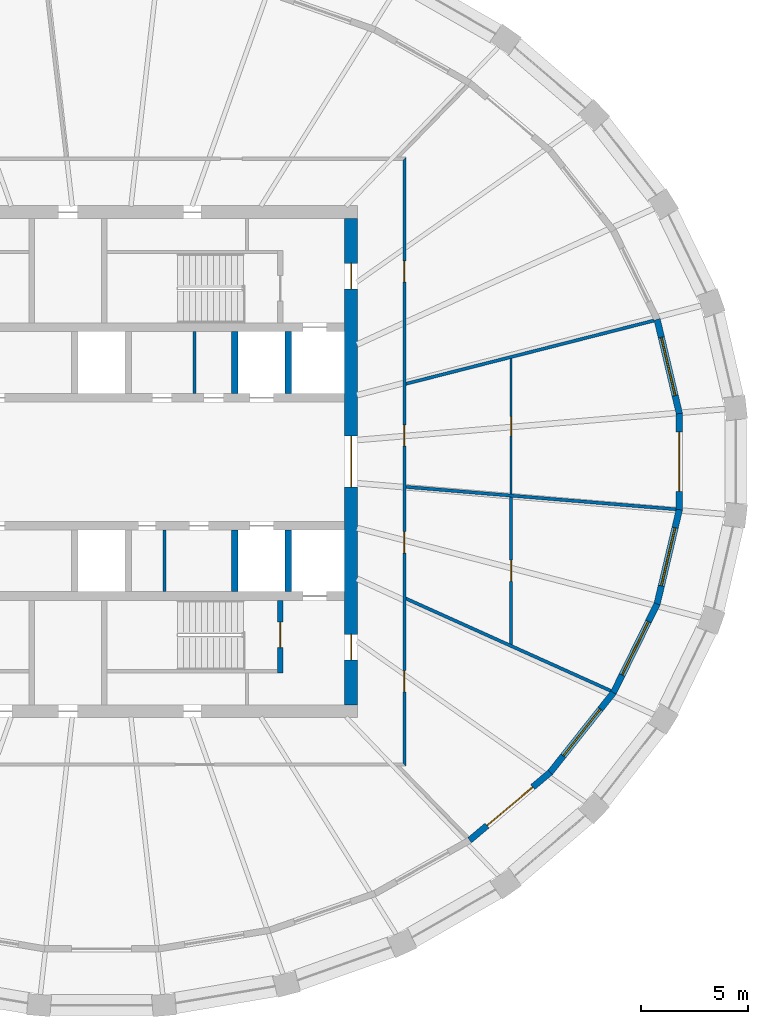
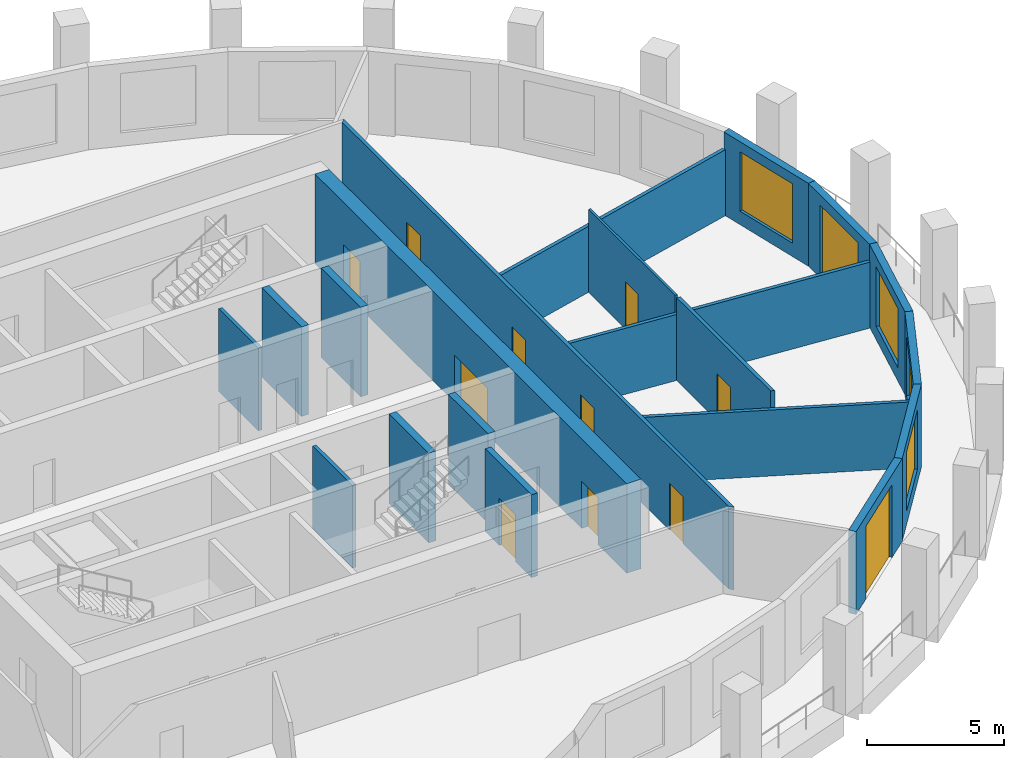
# One storey, part 5 of 10: 20 walls, 12 doors, 4 windows, 16 openings.
"""IFC4 building model written with IfcOpenShell, lengths in metres."""

import ifcopenshell
import ifcopenshell.guid

model = None  # the IFC model being written
_history = None  # IfcOwnerHistory: only IFC2X3 demands one
_inside = {}  # id of a spatial element -> (the spatial element, [elements in it])
_under = {}  # id of a project, library or spatial element -> (it, [spatial elements below it])
_declared = {}  # id of a project -> (the project, [libraries it declares])
_typed = {}  # id of a type object -> (the type object, [elements of that type])
_made_of = {}  # id of a material, layer set ... -> (it, [elements and type objects made of it])


def new_model(schema):
    """Start an empty IFC model of exactly this schema.

    Asked for "IFC4X3", IfcOpenShell would pick the latest addendum, in which some entities
    have other attributes; the version numbers below select the first issue.
    IFC2X3 requires an IfcOwnerHistory on every rooted entity: one is made here for all.
    """
    global model, _history
    if schema == "IFC4X3":
        model = ifcopenshell.file(schema_version=(4, 3, 0, 0))
    else:
        model = ifcopenshell.file(schema=schema)
    _inside.clear()
    _under.clear()
    _declared.clear()
    _typed.clear()
    _made_of.clear()
    _history = None
    if model.schema == "IFC2X3":
        org = make("IfcOrganization", Name="unknown")
        user = make(
            "IfcPersonAndOrganization",
            ThePerson=make("IfcPerson", FamilyName="unknown"),
            TheOrganization=org,
        )
        app = make(
            "IfcApplication",
            ApplicationDeveloper=org,
            Version="unknown",
            ApplicationFullName="unknown",
            ApplicationIdentifier="unknown",
        )
        _history = make(
            "IfcOwnerHistory",
            OwningUser=user,
            OwningApplication=app,
            ChangeAction="ADDED",
            CreationDate=0,
        )
    return model


def make(cls, **values):
    """One entity of the class cls with the attributes given. An attribute that is None is left unset."""
    return model.create_entity(
        cls, **{name: value for name, value in values.items() if value is not None}
    )


def rooted(cls, **values):
    """An entity with a GlobalId (a new one), such as an element, a storey or a relation."""
    return make(cls, GlobalId=ifcopenshell.guid.new(), OwnerHistory=_history, **values)


def si_unit(unit_type, name, prefix=None):
    """IfcSIUnit, for example si_unit("LENGTHUNIT", "METRE", prefix="MILLI")."""
    return make("IfcSIUnit", UnitType=unit_type, Prefix=prefix, Name=name)


def assignment(units):
    """IfcUnitAssignment: the units of a project."""
    return None if units is None else make("IfcUnitAssignment", Units=units)


def point(xyz):
    """IfcCartesianPoint."""
    return None if xyz is None else make("IfcCartesianPoint", Coordinates=xyz)


def direction(xyz):
    """IfcDirection."""
    return None if xyz is None else make("IfcDirection", DirectionRatios=xyz)


def frame(location, z_axis=None, x_axis=None):
    """IfcAxis2Placement3D, a coordinate frame: its origin and axes. An axis left out is left unset."""
    return make(
        "IfcAxis2Placement3D",
        Location=point(location),
        Axis=direction(z_axis),
        RefDirection=direction(x_axis),
    )


def frame_2d(location, x_axis=None):
    """IfcAxis2Placement2D, a coordinate frame in the plane: its origin and x axis."""
    return make(
        "IfcAxis2Placement2D", Location=point(location), RefDirection=direction(x_axis)
    )


def origin():
    """The frame at (0, 0, 0) with its axes left unset."""
    return frame((0.0, 0.0, 0.0))


def place(relative_to, where):
    """IfcLocalPlacement: puts the frame where relative to a parent placement (None: the world)."""
    return make(
        "IfcLocalPlacement", PlacementRelTo=relative_to, RelativePlacement=where
    )


def context(
    kind, dimensions, precision=None, world=None, true_north=None, identifier=None
):
    """IfcGeometricRepresentationContext, for example the 3D "Model" context."""
    return make(
        "IfcGeometricRepresentationContext",
        ContextIdentifier=identifier,
        ContextType=kind,
        CoordinateSpaceDimension=dimensions,
        Precision=precision,
        WorldCoordinateSystem=world,
        TrueNorth=true_north,
    )


def subcontext(parent, identifier, kind, view, scale=None):
    """IfcGeometricRepresentationSubContext, for example "Body" below "Model"."""
    return make(
        "IfcGeometricRepresentationSubContext",
        ContextIdentifier=identifier,
        ContextType=kind,
        ParentContext=parent,
        TargetScale=scale,
        TargetView=view,
    )


def project(units=None, contexts=None):
    """IfcProject with its units and contexts."""
    return rooted(
        "IfcProject",
        Name="project",
        RepresentationContexts=contexts,
        UnitsInContext=assignment(units),
    )


def spatial(cls, under=None, at=None, **own):
    """A site, building, storey or space (cls), placed at a placement, below another one or the project."""
    s = rooted(cls, ObjectPlacement=at, **own)
    if under is not None:
        _under.setdefault(under.id(), (under, []))[1].append(s)
    return s


def polyline(points):
    """IfcPolyline through the points."""
    return make("IfcPolyline", Points=[point(p) for p in points])


def profile(cls, at=None, kind="AREA", **sizes):
    """A parametric profile (cls). Its sizes go by their IFC names, for example OverallWidth=200.0."""
    return make(cls, ProfileType=kind, Position=at, **sizes)


def rectangle(**sizes):
    """IfcRectangleProfileDef."""
    return profile("IfcRectangleProfileDef", **sizes)


def outline(outer, holes=None, kind="AREA"):
    """IfcArbitraryClosedProfileDef: a profile drawn as a closed curve; with holes, ...WithVoids."""
    if holes is None:
        return make("IfcArbitraryClosedProfileDef", ProfileType=kind, OuterCurve=outer)
    return make(
        "IfcArbitraryProfileDefWithVoids",
        ProfileType=kind,
        OuterCurve=outer,
        InnerCurves=holes,
    )


def extrude(swept, where, along, depth):
    """IfcExtrudedAreaSolid: the profile swept, set in the frame where, extruded along a direction by depth."""
    return make(
        "IfcExtrudedAreaSolid",
        SweptArea=swept,
        Position=where,
        ExtrudedDirection=direction(along),
        Depth=depth,
    )


def shape(context_of_items, identifier, shape_type, items):
    """IfcShapeRepresentation: the items that make up one representation, for example the "Body"."""
    return make(
        "IfcShapeRepresentation",
        ContextOfItems=context_of_items,
        RepresentationIdentifier=identifier,
        RepresentationType=shape_type,
        Items=items,
    )


def material(Name=None, Category=None):
    """IfcMaterial."""
    return make("IfcMaterial", Name=Name, Category=Category)


def layer(
    of_material, thickness, ventilated=None, Name=None, Category=None, Priority=None
):
    """IfcMaterialLayer: one layer of a wall or slab, of a material (None: an air gap)."""
    return make(
        "IfcMaterialLayer",
        Material=of_material,
        LayerThickness=thickness,
        IsVentilated=ventilated,
        Name=Name,
        Category=Category,
        Priority=Priority,
    )


def layer_set(layers, Name=None):
    """IfcMaterialLayerSet."""
    return make("IfcMaterialLayerSet", MaterialLayers=layers, LayerSetName=Name)


def made_of(thing, what):
    """Note that an element or type object is made of a material, layer set ...; save() writes the relation."""
    if what is not None:
        _made_of.setdefault(what.id(), (what, []))[1].append(thing)
    return thing


def type_object(cls, material=None, **own):
    """A type object (cls), such as IfcWallType, which elements share."""
    return made_of(rooted(cls, **own), material)


def element(
    cls,
    number,
    at=None,
    inside=None,
    cuts=None,
    type_object=None,
    material=None,
    context=None,
    identifier="Body",
    shape_type=None,
    held_by="IfcProductDefinitionShape",
    body=None,
    shapes=None,
    **own,
):
    """One element of the class cls, such as IfcWall. Its Tag is "e" and its number.

    at: its placement. inside: the storey or other place that contains it. cuts: it is an
    opening in that element (IfcRelVoidsElement). A single representation is given by context,
    identifier, shape_type and body (its items); several are given by shapes. held_by: the class
    of the entity that holds the representations. save() writes the other relations.
    """
    e = rooted(cls, Tag="e%d" % number, ObjectPlacement=at, **own)
    if body is not None:
        shapes = [shape(context, identifier, shape_type, body)]
    if shapes is not None:
        e.Representation = make(held_by, Representations=shapes)
    if inside is not None:
        _inside.setdefault(inside.id(), (inside, []))[1].append(e)
    if cuts is not None:
        rooted(
            "IfcRelVoidsElement", RelatingBuildingElement=cuts, RelatedOpeningElement=e
        )
    if type_object is not None:
        _typed.setdefault(type_object.id(), (type_object, []))[1].append(e)
    return made_of(e, material)


def fill(opening, filler):
    """IfcRelFillsElement: the door or window that sits in an opening."""
    return rooted(
        "IfcRelFillsElement",
        RelatingOpeningElement=opening,
        RelatedBuildingElement=filler,
    )


def aggregate(whole, parts):
    """IfcRelAggregates: a whole, such as a stair, and the parts it consists of."""
    return rooted("IfcRelAggregates", RelatingObject=whole, RelatedObjects=parts)


def save(model, path):
    """Write the relations noted so far, then the file.

    IfcRelAggregates (storeys below a building ...), IfcRelContainedInSpatialStructure (elements
    in a storey), IfcRelDefinesByType, IfcRelAssociatesMaterial and IfcRelDeclares: one each for
    every whole, place, type object, material and project.
    """
    for whole, parts in _under.values():
        aggregate(whole, parts)
    for where, things in _inside.values():
        rooted(
            "IfcRelContainedInSpatialStructure",
            RelatedElements=things,
            RelatingStructure=where,
        )
    for kind, things in _typed.values():
        rooted("IfcRelDefinesByType", RelatedObjects=things, RelatingType=kind)
    for what, things in _made_of.values():
        rooted("IfcRelAssociatesMaterial", RelatedObjects=things, RelatingMaterial=what)
    for by, libraries in _declared.values():
        rooted("IfcRelDeclares", RelatingContext=by, RelatedDefinitions=libraries)
    model.write(path)


model = new_model("IFC4")

# Units and contexts
model_context = context("Model", 3, precision=1e-05, world=origin(), true_north=direction((0.0, 1.0)))
body_context = subcontext(model_context, "Body", "Model", "MODEL_VIEW")
ifc_project = project(units=[si_unit("LENGTHUNIT", "METRE"), si_unit("AREAUNIT", "SQUARE_METRE"), si_unit("VOLUMEUNIT", "CUBIC_METRE"), si_unit("PLANEANGLEUNIT", "RADIAN"), si_unit("MASSUNIT", "GRAM", prefix="KILO")], contexts=[model_context])

# Site, building, storey
site_placement = place(None, origin())
site = spatial("IfcSite", under=ifc_project, at=site_placement, CompositionType="ELEMENT")
building_placement = place(site_placement, origin())
building = spatial("IfcBuilding", under=site, at=building_placement, Name="Halqa Exchange Tower", CompositionType="ELEMENT")
storey_placement = place(building_placement, frame((0.0, 0.0, 268.300048828125)))
storey = spatial("IfcBuildingStorey", under=building, at=storey_placement, Name="L62", CompositionType="ELEMENT", Elevation=268.300048828125)

# Wall, opening, door
ifc_material_1 = material(Name="Gypsum board")
ifc_layer_1 = layer(ifc_material_1, 0.14990234375)
ifc_layer_set_1 = layer_set([ifc_layer_1], Name="Gypsum board")
wall_type_1 = type_object("IfcWallType", Name="Acoustic partition 150", PredefinedType="PARTITIONING", material=ifc_layer_set_1)
wall_1_placement = place(storey_placement, frame((19.199951171875, -1.66357421875, 0.0), z_axis=(0.0, 0.0, 1.0), x_axis=(0.0, -1.0, 0.0)))
wall_1 = element("IfcWall", 1, at=wall_1_placement, inside=storey, type_object=wall_type_1, Name="L62-PWL-021", PredefinedType="PARTITIONING", context=body_context, shape_type="SweptSolid", body=[
    extrude(outline(polyline([(0.0, -0.074951171875), (1.71533203125, -0.074951171875), (3.430908203125, -0.074951171875), (5.146240234375, -0.074951171875), (6.861572265625, -0.074951171875), (6.928955078125, 0.074462890625), (6.928955078125, 0.074951171875), (5.19970703125, 0.074951171875), (3.470458984375, 0.074951171875), (1.7412109375, 0.074951171875), (0.011962890625, 0.074951171875), (0.0, -0.069580078125), (0.0, -0.074951171875)])), origin(), (0.0, 0.0, 1.0), 3.699951171875),
])
opening_1_placement = place(wall_1_placement, frame((2.951416015625, 0.0, 0.0)))
opening_1 = element("IfcOpeningElement", 2, at=opening_1_placement, cuts=wall_1, Name="Opening 19-15", PredefinedType="OPENING", context=body_context, shape_type="SweptSolid", body=[
    extrude(rectangle(XDim=1.0, YDim=2.10009765625, at=frame_2d((0.5, 1.050048828125))), frame((0.0, 0.0869140625, 0.0), z_axis=(0.0, -1.0, 0.0), x_axis=(1.0, 0.0, 0.0)), (0.0, 0.0, 1.0), 0.173828125),
])
ifc_material_2 = material(Name="Timber door leaf", Category="wood")
door_type_1 = type_object("IfcDoorType", Name="Acoustic door 1000 x 2100", OperationType="SINGLE_SWING_LEFT", PredefinedType="DOOR", material=ifc_material_2)
door_1_placement = place(opening_1_placement, frame((1.0, 0.0, 0.0), z_axis=(0.0, 0.0, 1.0), x_axis=(-1.0, 0.0, 0.0)))
door_1 = element("IfcDoor", 3, at=door_1_placement, inside=storey, type_object=door_type_1, Name="L62-IDR-015", OperationType="SINGLE_SWING_LEFT", OverallHeight=2.10009765625, OverallWidth=1.0, PredefinedType="DOOR", context=body_context, shape_type="SweptSolid", body=[
    extrude(rectangle(XDim=1.0, YDim=2.10009765625, at=frame_2d((0.5, 1.050048828125))), frame((0.0, 0.02490234375, 0.0), z_axis=(0.0, -1.0, 0.0), x_axis=(1.0, 0.0, 0.0)), (0.0, 0.0, 1.0), 0.050048828125),
])
fill(opening_1, door_1)

# Wall, openings, doors
ifc_material_3 = material(Name="Fire-rated gypsum board")
ifc_layer_2 = layer(ifc_material_3, 0.14990234375)
ifc_layer_set_2 = layer_set([ifc_layer_2], Name="Fire-rated gypsum board")
wall_type_2 = type_object("IfcWallType", Name="Fire partition EI 60 150", PredefinedType="PARTITIONING", material=ifc_layer_set_2)
wall_2_placement = place(storey_placement, frame((14.199951171875, -14.27490234375, 0.0), z_axis=(0.0, 0.0, 1.0), x_axis=(0.0, 1.0, 0.0)))
wall_2 = element("IfcWall", 4, at=wall_2_placement, inside=storey, type_object=wall_type_2, Name="L62-PWL-017", PredefinedType="PARTITIONING", context=body_context, shape_type="SweptSolid", body=[
    extrude(outline(polyline([(28.5498046875, -0.074951171875), (28.5498046875, -0.074951171875), (28.39990234375, 0.074951171875), (26.5166015625, 0.074951171875), (24.63330078125, 0.074951171875), (22.75, 0.074951171875), (20.866455078125, 0.074951171875), (18.983154296875, 0.074951171875), (17.099853515625, 0.074951171875), (15.216552734375, 0.074951171875), (13.333251953125, 0.074951171875), (11.449951171875, 0.074951171875), (9.566650390625, 0.074951171875), (7.683349609375, 0.074951171875), (5.7998046875, 0.074951171875), (3.91650390625, 0.074951171875), (2.033203125, 0.074951171875), (0.14990234375, 0.074951171875), (0.0, -0.074951171875), (1.9033203125, -0.074951171875), (3.806640625, -0.074951171875), (5.7099609375, -0.074951171875), (7.61328125, -0.074951171875), (9.5166015625, -0.074951171875), (11.419921875, -0.074951171875), (13.3232421875, -0.074951171875), (15.2265625, -0.074951171875), (17.1298828125, -0.074951171875), (19.033203125, -0.074951171875), (20.9365234375, -0.074951171875), (22.83984375, -0.074951171875), (24.7431640625, -0.074951171875), (26.646484375, -0.074951171875), (28.5498046875, -0.074951171875)])), origin(), (0.0, 0.0, 1.0), 3.699951171875),
])
opening_2_placement = place(wall_2_placement, frame((3.47998046875, 0.0, 0.0)))
opening_2 = element("IfcOpeningElement", 5, at=opening_2_placement, cuts=wall_2, Name="Opening 19-08", PredefinedType="OPENING", context=body_context, shape_type="SweptSolid", body=[
    extrude(rectangle(XDim=1.0, YDim=2.10009765625, at=frame_2d((0.5, 1.050048828125))), frame((0.0, 0.0869140625, 0.0), z_axis=(0.0, -1.0, 0.0), x_axis=(1.0, 0.0, 0.0)), (0.0, 0.0, 1.0), 0.173828125),
])
opening_3_placement = place(wall_2_placement, frame((9.989990234375, 0.0, 0.0)))
opening_3 = element("IfcOpeningElement", 6, at=opening_3_placement, cuts=wall_2, Name="Opening 19-09", PredefinedType="OPENING", context=body_context, shape_type="SweptSolid", body=[
    extrude(rectangle(XDim=1.0, YDim=2.10009765625, at=frame_2d((0.5, 1.050048828125))), frame((0.0, 0.0869140625, 0.0), z_axis=(0.0, -1.0, 0.0), x_axis=(1.0, 0.0, 0.0)), (0.0, 0.0, 1.0), 0.173828125),
])
opening_4_placement = place(wall_2_placement, frame((15.0, 0.0, 0.0)))
opening_4 = element("IfcOpeningElement", 7, at=opening_4_placement, cuts=wall_2, Name="Opening 19-10", PredefinedType="OPENING", context=body_context, shape_type="SweptSolid", body=[
    extrude(rectangle(XDim=1.0, YDim=2.10009765625, at=frame_2d((0.5, 1.050048828125))), frame((0.0, 0.0869140625, 0.0), z_axis=(0.0, -1.0, 0.0), x_axis=(1.0, 0.0, 0.0)), (0.0, 0.0, 1.0), 0.173828125),
])
opening_5_placement = place(wall_2_placement, frame((22.68994140625, 0.0, 0.0)))
opening_5 = element("IfcOpeningElement", 8, at=opening_5_placement, cuts=wall_2, Name="Opening 19-11", PredefinedType="OPENING", context=body_context, shape_type="SweptSolid", body=[
    extrude(rectangle(XDim=1.0, YDim=2.10009765625, at=frame_2d((0.5, 1.050048828125))), frame((0.0, 0.0869140625, 0.0), z_axis=(0.0, -1.0, 0.0), x_axis=(1.0, 0.0, 0.0)), (0.0, 0.0, 1.0), 0.173828125),
])
ifc_material_4 = material(Name="Steel fire door leaf", Category="steel")
door_type_2 = type_object("IfcDoorType", Name="Fire door FD30S 1000 x 2100", OperationType="SINGLE_SWING_LEFT", PredefinedType="DOOR", material=ifc_material_4)
door_2_placement = place(opening_2_placement, frame((1.0, 0.0, 0.0), z_axis=(0.0, 0.0, 1.0), x_axis=(-1.0, 0.0, 0.0)))
door_2 = element("IfcDoor", 9, at=door_2_placement, inside=storey, type_object=door_type_2, Name="L62-IDR-008", OperationType="SINGLE_SWING_RIGHT", OverallHeight=2.10009765625, OverallWidth=1.0, PredefinedType="DOOR", context=body_context, shape_type="SweptSolid", body=[
    extrude(rectangle(XDim=1.0, YDim=2.10009765625, at=frame_2d((0.5, 1.050048828125))), frame((0.0, 0.02490234375, 0.0), z_axis=(0.0, -1.0, 0.0), x_axis=(1.0, 0.0, 0.0)), (0.0, 0.0, 1.0), 0.050048828125),
])
fill(opening_2, door_2)
door_3_placement = place(opening_3_placement, frame((1.0, 0.0, 0.0), z_axis=(0.0, 0.0, 1.0), x_axis=(-1.0, 0.0, 0.0)))
door_3 = element("IfcDoor", 10, at=door_3_placement, inside=storey, type_object=door_type_2, Name="L62-IDR-009", OperationType="SINGLE_SWING_LEFT", OverallHeight=2.10009765625, OverallWidth=1.0, PredefinedType="DOOR", context=body_context, shape_type="SweptSolid", body=[
    extrude(rectangle(XDim=1.0, YDim=2.10009765625, at=frame_2d((0.5, 1.050048828125))), frame((0.0, 0.02490234375, 0.0), z_axis=(0.0, -1.0, 0.0), x_axis=(1.0, 0.0, 0.0)), (0.0, 0.0, 1.0), 0.050048828125),
])
fill(opening_3, door_3)
door_4_placement = place(opening_4_placement, frame((1.0, 0.0, 0.0), z_axis=(0.0, 0.0, 1.0), x_axis=(-1.0, 0.0, 0.0)))
door_4 = element("IfcDoor", 11, at=door_4_placement, inside=storey, type_object=door_type_2, Name="L62-IDR-010", OperationType="SINGLE_SWING_RIGHT", OverallHeight=2.10009765625, OverallWidth=1.0, PredefinedType="DOOR", context=body_context, shape_type="SweptSolid", body=[
    extrude(rectangle(XDim=1.0, YDim=2.10009765625, at=frame_2d((0.5, 1.050048828125))), frame((0.0, 0.02490234375, 0.0), z_axis=(0.0, -1.0, 0.0), x_axis=(1.0, 0.0, 0.0)), (0.0, 0.0, 1.0), 0.050048828125),
])
fill(opening_4, door_4)
door_5_placement = place(opening_5_placement, frame((1.0, 0.0, 0.0), z_axis=(0.0, 0.0, 1.0), x_axis=(-1.0, 0.0, 0.0)))
door_5 = element("IfcDoor", 12, at=door_5_placement, inside=storey, type_object=door_type_2, Name="L62-IDR-011", OperationType="SINGLE_SWING_RIGHT", OverallHeight=2.10009765625, OverallWidth=1.0, PredefinedType="DOOR", context=body_context, shape_type="SweptSolid", body=[
    extrude(rectangle(XDim=1.0, YDim=2.10009765625, at=frame_2d((0.5, 1.050048828125))), frame((0.0, 0.02490234375, 0.0), z_axis=(0.0, -1.0, 0.0), x_axis=(1.0, 0.0, 0.0)), (0.0, 0.0, 1.0), 0.050048828125),
])
fill(opening_5, door_5)

# Walls
wall_3_placement = place(storey_placement, frame((14.24462890625, -6.41015625, 0.0), z_axis=(0.0, 0.0, 1.0), x_axis=(0.91183931518, -0.410547272908, 0.0)))
element("IfcWall", 13, at=wall_3_placement, inside=storey, type_object=wall_type_2, Name="L62-PWL-018", PredefinedType="PARTITIONING", context=body_context, shape_type="SweptSolid", body=[
    extrude(outline(polyline([(0.067138671875, -0.074951171875), (1.812744140625, -0.074951171875), (3.55859375, -0.074951171875), (5.304443359375, -0.074951171875), (7.05029296875, -0.074951171875), (8.796142578125, -0.074951171875), (10.541748046875, -0.074951171875), (10.559814453125, -0.00341796875), (10.5625, 0.072998046875), (10.5625, 0.074951171875), (8.816162109375, 0.074951171875), (7.070068359375, 0.074951171875), (5.32373046875, 0.074951171875), (5.3193359375, 0.072998046875), (5.318359375, 0.074951171875), (3.545654296875, 0.074951171875), (1.772705078125, 0.074951171875), (0.0, 0.074951171875), (0.0, 0.073974609375), (0.067138671875, -0.074951171875)])), origin(), (0.0, 0.0, 1.0), 2.947021484375),
])
wall_4_placement = place(storey_placement, frame((14.269287109375, -1.185791015625, 0.0), z_axis=(0.0, 0.0, 1.0), x_axis=(0.996588692452, -0.082528650035, 0.0)))
element("IfcWall", 14, at=wall_4_placement, inside=storey, type_object=wall_type_2, Name="L62-PWL-019", PredefinedType="PARTITIONING", context=body_context, shape_type="SweptSolid", body=[
    extrude(outline(polyline([(0.011962890625, -0.074951171875), (1.68212890625, -0.074951171875), (3.3525390625, -0.074951171875), (5.022705078125, -0.074951171875), (5.029052734375, -0.074462890625), (5.029052734375, -0.074951171875), (6.947021484375, -0.074951171875), (8.864990234375, -0.074951171875), (10.782958984375, -0.074951171875), (12.700927734375, -0.074951171875), (12.705810546875, -0.04248046875), (12.705810546875, 0.074951171875), (10.7529296875, 0.074951171875), (8.800048828125, 0.074951171875), (6.846923828125, 0.074951171875), (4.89404296875, 0.074951171875), (4.89111328125, 0.07470703125), (4.89111328125, 0.074951171875), (3.2607421875, 0.074951171875), (1.63037109375, 0.074951171875), (0.0, 0.074951171875), (0.0, 0.0693359375), (0.011962890625, -0.074951171875)])), origin(), (0.0, 0.0, 1.0), 2.947021484375),
])
wall_5_placement = place(storey_placement, frame((14.256591796875, 3.64453125, 0.0), z_axis=(0.0, 0.0, 1.0), x_axis=(0.968990601513, 0.247097580277, 0.0)))
element("IfcWall", 15, at=wall_5_placement, inside=storey, type_object=wall_type_2, Name="L62-PWL-020", PredefinedType="PARTITIONING", context=body_context, shape_type="SweptSolid", body=[
    extrude(outline(polyline([(12.0185546875, -0.074951171875), (12.0185546875, 0.011474609375), (12.005126953125, 0.074951171875), (10.0107421875, 0.074951171875), (8.01611328125, 0.074951171875), (6.021728515625, 0.074951171875), (4.027099609375, 0.074951171875), (2.03271484375, 0.074951171875), (0.0380859375, 0.074951171875), (0.0, -0.074462890625), (0.0, -0.074951171875), (1.717041015625, -0.074951171875), (3.433837890625, -0.074951171875), (5.15087890625, -0.074951171875), (6.86767578125, -0.074951171875), (8.584716796875, -0.074951171875), (10.301513671875, -0.074951171875), (12.0185546875, -0.074951171875)])), origin(), (0.0, 0.0, 1.0), 2.947021484375),
])

# Wall, opening, door
ifc_layer_3 = layer(ifc_material_1, 0.10009765625)
ifc_layer_set_3 = layer_set([ifc_layer_3], Name="Gypsum board")
wall_type_3 = type_object("IfcWallType", Name="Partition 100 gypsum", PredefinedType="PARTITIONING", material=ifc_layer_set_3)
wall_6_placement = place(storey_placement, frame((19.199951171875, 4.840087890625, 0.0), z_axis=(0.0, 0.0, 1.0), x_axis=(0.0, -1.0, 0.0)))
wall_6 = element("IfcWall", 16, at=wall_6_placement, inside=storey, type_object=wall_type_3, Name="L62-PWL-022", PredefinedType="PARTITIONING", context=body_context, shape_type="SweptSolid", body=[
    extrude(outline(polyline([(0.025146484375, -0.050048828125), (1.607421875, -0.050048828125), (3.18994140625, -0.050048828125), (4.772216796875, -0.050048828125), (6.354736328125, -0.050048828125), (6.362548828125, 0.044921875), (6.362548828125, 0.050048828125), (4.77197265625, 0.050048828125), (3.18115234375, 0.050048828125), (1.590576171875, 0.050048828125), (0.0, 0.050048828125), (0.0, 0.048583984375), (0.025146484375, -0.050048828125)])), origin(), (0.0, 0.0, 1.0), 3.699951171875),
])
opening_6_placement = place(wall_6_placement, frame((2.72998046875, 0.0, 0.0)))
opening_6 = element("IfcOpeningElement", 17, at=opening_6_placement, cuts=wall_6, Name="Opening 19-16", PredefinedType="OPENING", context=body_context, shape_type="SweptSolid", body=[
    extrude(rectangle(XDim=0.89990234375, YDim=2.10009765625, at=frame_2d((0.449951171875, 1.050048828125))), frame((0.0, 0.06201171875, 0.0), z_axis=(0.0, -1.0, 0.0), x_axis=(1.0, 0.0, 0.0)), (0.0, 0.0, 1.0), 0.1240234375),
])
door_type_3 = type_object("IfcDoorType", Name="Door 900 x 2100", OperationType="SINGLE_SWING_LEFT", PredefinedType="DOOR", material=ifc_material_2)
door_6_placement = place(opening_6_placement, frame((0.89990234375, 0.0, 0.0), z_axis=(0.0, 0.0, 1.0), x_axis=(-1.0, 0.0, 0.0)))
door_6 = element("IfcDoor", 18, at=door_6_placement, inside=storey, type_object=door_type_3, Name="L62-IDR-016", OperationType="SINGLE_SWING_LEFT", OverallHeight=2.10009765625, OverallWidth=0.89990234375, PredefinedType="DOOR", context=body_context, shape_type="SweptSolid", body=[
    extrude(rectangle(XDim=0.89990234375, YDim=2.10009765625, at=frame_2d((0.449951171875, 1.050048828125))), frame((0.0, 0.02490234375, 0.0), z_axis=(0.0, -1.0, 0.0), x_axis=(1.0, 0.0, 0.0)), (0.0, 0.0, 1.0), 0.050048828125),
])
fill(opening_6, door_6)

# Walls
ifc_layer_4 = layer(ifc_material_1, 0.14990234375)
ifc_layer_set_4 = layer_set([ifc_layer_4], Name="Gypsum board")
wall_type_4 = type_object("IfcWallType", Name="Penthouse riser wall 150 gypsum", PredefinedType="PARTITIONING", material=ifc_layer_set_4)
for number, where, z_axis, x_axis, name in (
    (19, (4.35009765625, 3.199951171875, 0.0), (0.0, 0.0, 1.0), (0.0, 1.0, 0.0), "Freed bay partition NE4.350"),
    (20, (2.949951171875, -6.10009765625, 0.0), (0.0, 0.0, 1.0), (0.0, 1.0, 0.0), "Freed bay partition SE2.950"),
):
    element("IfcWall", number, at=place(storey_placement, frame(where, z_axis=z_axis, x_axis=x_axis)), inside=storey, type_object=wall_type_4, Name=name, PredefinedType="PARTITIONING", context=body_context, shape_type="SweptSolid", body=[
        extrude(rectangle(XDim=2.900146484375, YDim=0.14990234375, at=frame_2d((1.4501953125, 0.0))), origin(), (0.0, 0.0, 1.0), 3.699951171875),
    ])
ifc_material_5 = material(Name="Concrete C60/75", Category="concrete")
ifc_layer_5 = layer(ifc_material_5, 0.300048828125)
ifc_layer_set_5 = layer_set([ifc_layer_5], Name="Concrete C60/75")
wall_type_5 = type_object("IfcWallType", Name="RC core wall 300", PredefinedType="SHEAR", material=ifc_layer_set_5)
for number, where, z_axis, x_axis, name in (
    (21, (6.25, 3.199951171875, 0.0), (0.0, 0.0, 1.0), (0.0, 1.0, 0.0), "Shaft divider N7"),
    (22, (8.75, 3.199951171875, 0.0), (0.0, 0.0, 1.0), (0.0, 1.0, 0.0), "Shaft divider N8"),
    (23, (6.25, -6.10009765625, 0.0), (0.0, 0.0, 1.0), (0.0, 1.0, 0.0), "Shaft divider S7"),
    (24, (8.75, -6.10009765625, 0.0), (0.0, 0.0, 1.0), (0.0, 1.0, 0.0), "Shaft divider S8"),
):
    element("IfcWall", number, at=place(storey_placement, frame(where, z_axis=z_axis, x_axis=x_axis)), inside=storey, type_object=wall_type_5, Name=name, PredefinedType="SHEAR", context=body_context, shape_type="SweptSolid", body=[
        extrude(rectangle(XDim=2.900146484375, YDim=0.300048828125, at=frame_2d((1.4501953125, 0.0))), origin(), (0.0, 0.0, 1.0), 4.0),
    ])

# Wall, openings, doors
ifc_layer_6 = layer(ifc_material_5, 0.60009765625)
ifc_layer_set_6 = layer_set([ifc_layer_6], Name="Concrete C60/75")
wall_type_6 = type_object("IfcWallType", Name="RC core wall 600 C60/75", PredefinedType="SHEAR", material=ifc_layer_set_6)
wall_7_placement = place(storey_placement, frame((11.699951171875, -11.39990234375, 0.0), z_axis=(0.0, 0.0, 1.0), x_axis=(0.0, 1.0, 0.0)))
wall_7 = element("IfcWall", 25, at=wall_7_placement, inside=storey, type_object=wall_type_6, Name="Core wall east", PredefinedType="SHEAR", context=body_context, shape_type="SweptSolid", body=[
    extrude(rectangle(XDim=22.7998046875, YDim=0.60009765625, at=frame_2d((11.39990234375, 0.0))), origin(), (0.0, 0.0, 1.0), 4.0),
])
opening_7_placement = place(wall_7_placement, frame((10.199951171875, 0.0, 0.0)))
opening_7 = element("IfcOpeningElement", 26, at=opening_7_placement, cuts=wall_7, Name="Opening T19-C10", PredefinedType="OPENING", context=body_context, shape_type="SweptSolid", body=[
    extrude(rectangle(XDim=2.39990234375, YDim=2.10009765625, at=frame_2d((1.199951171875, 1.050048828125))), frame((0.0, 0.31201171875, 0.0), z_axis=(0.0, -1.0, 0.0), x_axis=(1.0, 0.0, 0.0)), (0.0, 0.0, 1.0), 0.6240234375),
])
opening_8_placement = place(wall_7_placement, frame((19.5, 0.0, 0.0)))
opening_8 = element("IfcOpeningElement", 27, at=opening_8_placement, cuts=wall_7, Name="Opening T19-C15", PredefinedType="OPENING", context=body_context, shape_type="SweptSolid", body=[
    extrude(rectangle(XDim=1.199951171875, YDim=2.10009765625, at=frame_2d((0.60009765625, 1.050048828125))), frame((0.0, 0.31201171875, 0.0), z_axis=(0.0, -1.0, 0.0), x_axis=(1.0, 0.0, 0.0)), (0.0, 0.0, 1.0), 0.6240234375),
])
opening_9_placement = place(wall_7_placement, frame((2.10009765625, 0.0, 0.0)))
opening_9 = element("IfcOpeningElement", 28, at=opening_9_placement, cuts=wall_7, Name="Opening T19-C16", PredefinedType="OPENING", context=body_context, shape_type="SweptSolid", body=[
    extrude(rectangle(XDim=1.199951171875, YDim=2.10009765625, at=frame_2d((0.60009765625, 1.050048828125))), frame((0.0, 0.31201171875, 0.0), z_axis=(0.0, -1.0, 0.0), x_axis=(1.0, 0.0, 0.0)), (0.0, 0.0, 1.0), 0.6240234375),
])
door_type_4 = type_object("IfcDoorType", Name="Firefighting lobby door FD90 1200 x 2100", OperationType="SINGLE_SWING_RIGHT", PredefinedType="DOOR", material=ifc_material_4)
door_7_placement = place(opening_8_placement, origin())
door_7 = element("IfcDoor", 29, at=door_7_placement, inside=storey, type_object=door_type_4, Name="Firefighting lobby door", OperationType="SINGLE_SWING_RIGHT", OverallHeight=2.10009765625, OverallWidth=1.199951171875, PredefinedType="DOOR", context=body_context, shape_type="SweptSolid", body=[
    extrude(rectangle(XDim=1.199951171875, YDim=2.10009765625, at=frame_2d((0.60009765625, 1.050048828125))), frame((0.0, 0.02490234375, 0.0), z_axis=(0.0, -1.0, 0.0), x_axis=(1.0, 0.0, 0.0)), (0.0, 0.0, 1.0), 0.050048828125),
])
fill(opening_8, door_7)
door_8_placement = place(opening_9_placement, origin())
door_8 = element("IfcDoor", 30, at=door_8_placement, inside=storey, type_object=door_type_4, Name="Firefighting lobby door", OperationType="SINGLE_SWING_LEFT", OverallHeight=2.10009765625, OverallWidth=1.199951171875, PredefinedType="DOOR", context=body_context, shape_type="SweptSolid", body=[
    extrude(rectangle(XDim=1.199951171875, YDim=2.10009765625, at=frame_2d((0.60009765625, 1.050048828125))), frame((0.0, 0.02490234375, 0.0), z_axis=(0.0, -1.0, 0.0), x_axis=(1.0, 0.0, 0.0)), (0.0, 0.0, 1.0), 0.050048828125),
])
fill(opening_9, door_8)
door_type_5 = type_object("IfcDoorType", Name="Lobby double door FD60 2400 x 2100", OperationType="DOUBLE_DOOR_SINGLE_SWING", PredefinedType="DOOR", material=ifc_material_4)
door_9_placement = place(opening_7_placement, origin())
door_9 = element("IfcDoor", 31, at=door_9_placement, inside=storey, type_object=door_type_5, Name="Lift lobby double door", OperationType="DOUBLE_DOOR_SINGLE_SWING", OverallHeight=2.10009765625, OverallWidth=2.39990234375, PredefinedType="DOOR", context=body_context, shape_type="SweptSolid", body=[
    extrude(rectangle(XDim=2.39990234375, YDim=2.10009765625, at=frame_2d((1.199951171875, 1.050048828125))), frame((0.0, 0.02490234375, 0.0), z_axis=(0.0, -1.0, 0.0), x_axis=(1.0, 0.0, 0.0)), (0.0, 0.0, 1.0), 0.050048828125),
])
fill(opening_7, door_9)

# Wall, opening, door
ifc_material_6 = material(Name="Concrete C30/37", Category="concrete")
ifc_layer_7 = layer(ifc_material_6, 0.25)
ifc_layer_set_7 = layer_set([ifc_layer_7], Name="Concrete C30/37")
wall_type_7 = type_object("IfcWallType", Name="RC stair wall 250 C30/37", PredefinedType="SHEAR", material=ifc_layer_set_7)
wall_8_placement = place(storey_placement, frame((8.375, -9.89990234375, 0.0), z_axis=(0.0, 0.0, 1.0), x_axis=(0.0, 1.0, 0.0)))
wall_8 = element("IfcWall", 32, at=wall_8_placement, inside=storey, type_object=wall_type_7, Name="Stair ST2 east wall S", PredefinedType="SHEAR", context=body_context, shape_type="SweptSolid", body=[
    extrude(rectangle(XDim=3.39990234375, YDim=0.25, at=frame_2d((1.699951171875, 0.0))), origin(), (0.0, 0.0, 1.0), 3.699951171875),
])
opening_10_placement = place(wall_8_placement, frame((1.175048828125, 0.0, 0.0)))
opening_10 = element("IfcOpeningElement", 33, at=opening_10_placement, cuts=wall_8, Name="Opening T19-C14", PredefinedType="OPENING", context=body_context, shape_type="SweptSolid", body=[
    extrude(rectangle(XDim=1.199951171875, YDim=2.10009765625, at=frame_2d((0.60009765625, 1.050048828125))), frame((0.0, 0.136962890625, 0.0), z_axis=(0.0, -1.0, 0.0), x_axis=(1.0, 0.0, 0.0)), (0.0, 0.0, 1.0), 0.27392578125),
])
door_type_6 = type_object("IfcDoorType", Name="Stair door FD90 1200 x 2100", OperationType="SINGLE_SWING_LEFT", PredefinedType="DOOR", material=ifc_material_4)
door_10_placement = place(opening_10_placement, origin())
door_10 = element("IfcDoor", 34, at=door_10_placement, inside=storey, type_object=door_type_6, Name="Stair door ST4", OperationType="SINGLE_SWING_RIGHT", OverallHeight=2.10009765625, OverallWidth=1.199951171875, PredefinedType="DOOR", context=body_context, shape_type="SweptSolid", body=[
    extrude(rectangle(XDim=1.199951171875, YDim=2.10009765625, at=frame_2d((0.60009765625, 1.050048828125))), frame((0.0, 0.02490234375, 0.0), z_axis=(0.0, -1.0, 0.0), x_axis=(1.0, 0.0, 0.0)), (0.0, 0.0, 1.0), 0.050048828125),
])
fill(opening_10, door_10)

# Wall, opening, window
ifc_material_7 = material(Name="Limestone cladding", Category="masonry")
ifc_layer_8 = layer(ifc_material_7, 0.0400390625)
ifc_material_8 = material(Name="Ventilated cavity")
ifc_layer_9 = layer(ifc_material_8, 0.030029296875, ventilated=True)
ifc_material_9 = material(Name="Mineral wool insulation")
ifc_layer_10 = layer(ifc_material_9, 0.10009765625)
ifc_layer_11 = layer(ifc_material_6, 0.10009765625)
ifc_material_10 = material(Name="Internal plaster")
ifc_layer_12 = layer(ifc_material_10, 0.030029296875)
ifc_layer_set_8 = layer_set([ifc_layer_8, ifc_layer_9, ifc_layer_10, ifc_layer_11, ifc_layer_12], Name="Stone-faced insulated wall 300")
wall_type_8 = type_object("IfcWallType", Name="Stone-faced insulated wall 300", PredefinedType="STANDARD", material=ifc_layer_set_8)
wall_9_placement = place(storey_placement, frame((27.088134765625, 2.25244140625, 0.0), z_axis=(0.0, 0.0, 1.0), x_axis=(-0.22983372436, 0.973229910734, 0.0)))
wall_9 = element("IfcWall", 35, at=wall_9_placement, inside=storey, type_object=wall_type_8, Name="Glass-line wall 1", PredefinedType="STANDARD", context=body_context, shape_type="SweptSolid", body=[
    extrude(outline(polyline([(-0.017578125, -0.14990234375), (4.555908203125, -0.14990234375), (4.522216796875, 0.14990234375), (0.017578125, 0.14990234375), (-0.017578125, -0.14990234375)])), origin(), (0.0, 0.0, 1.0), 3.699951171875),
])
opening_11_placement = place(wall_9_placement, frame((0.869384765625, 0.0, 0.60009765625)))
opening_11 = element("IfcOpeningElement", 36, at=opening_11_placement, cuts=wall_9, Name="Opening W-F4-01", PredefinedType="OPENING", context=body_context, shape_type="SweptSolid", body=[
    extrude(rectangle(XDim=2.800048828125, YDim=2.64990234375, at=frame_2d((1.39990234375, 1.324951171875))), frame((0.0, 0.162109375, 0.0), z_axis=(0.0, -1.0, 0.0), x_axis=(1.0, 0.0, 0.0)), (0.0, 0.0, 1.0), 0.323974609375),
])
ifc_material_11 = material(Name="Clear low-emissivity glass in aluminium frame", Category="aluminium")
window_type = type_object("IfcWindowType", Name="Fixed clear glazed window 2800 x 2650", PartitioningType="DOUBLE_PANEL_VERTICAL", PredefinedType="WINDOW", material=ifc_material_11)
window_1_placement = place(opening_11_placement, origin())
window_1 = element("IfcWindow", 37, at=window_1_placement, inside=storey, type_object=window_type, Name="Window 4", OverallHeight=2.64990234375, OverallWidth=2.800048828125, PartitioningType="DOUBLE_PANEL_VERTICAL", PredefinedType="WINDOW", context=body_context, shape_type="SweptSolid", body=[
    extrude(rectangle(XDim=2.800048828125, YDim=2.64990234375, at=frame_2d((1.39990234375, 1.324951171875))), frame((0.0, 0.030029296875, 0.0), z_axis=(0.0, -1.0, 0.0), x_axis=(1.0, 0.0, 0.0)), (0.0, 0.0, 1.0), 0.06005859375),
])
fill(opening_11, window_1)

# Wall, opening, door
wall_10_placement = place(storey_placement, frame((17.2578125, -17.74951171875, 0.0), z_axis=(0.0, 0.0, 1.0), x_axis=(0.764832940795, 0.644228664897, 0.0)))
wall_10 = element("IfcWall", 38, at=wall_10_placement, inside=storey, type_object=wall_type_8, Name="Glass-line wall 28", PredefinedType="STANDARD", context=body_context, shape_type="SweptSolid", body=[
    extrude(outline(polyline([(-0.01416015625, -0.14990234375), (4.950439453125, -0.14990234375), (4.920166015625, 0.14990234375), (0.01416015625, 0.14990234375), (-0.01416015625, -0.14990234375)])), origin(), (0.0, 0.0, 1.0), 3.699951171875),
])
opening_12_placement = place(wall_10_placement, frame((1.067626953125, 0.0, 0.0)))
opening_12 = element("IfcOpeningElement", 39, at=opening_12_placement, cuts=wall_10, Name="Opening LG-F4-07", PredefinedType="OPENING", context=body_context, shape_type="SweptSolid", body=[
    extrude(rectangle(XDim=2.800048828125, YDim=3.25, at=frame_2d((1.39990234375, 1.625))), frame((0.0, 0.162109375, 0.0), z_axis=(0.0, -1.0, 0.0), x_axis=(1.0, 0.0, 0.0)), (0.0, 0.0, 1.0), 0.323974609375),
])
door_type_7 = type_object("IfcDoorType", Name="Glazed sliding loggia door 2800 x 3250", OperationType="DOUBLE_DOOR_SLIDING", PredefinedType="DOOR", material=ifc_material_11)
door_11_placement = place(opening_12_placement, origin())
door_11 = element("IfcDoor", 40, at=door_11_placement, inside=storey, type_object=door_type_7, Name="Loggia door 7", OperationType="DOUBLE_DOOR_SLIDING", OverallHeight=3.25, OverallWidth=2.800048828125, PredefinedType="DOOR", context=body_context, shape_type="SweptSolid", body=[
    extrude(rectangle(XDim=2.800048828125, YDim=3.25, at=frame_2d((1.39990234375, 1.625))), frame((0.0, 0.02490234375, 0.0), z_axis=(0.0, -1.0, 0.0), x_axis=(1.0, 0.0, 0.0)), (0.0, 0.0, 1.0), 0.050048828125),
])
fill(opening_12, door_11)

# Wall, opening, window
wall_11_placement = place(storey_placement, frame((21.032470703125, -14.570068359375, 0.0), z_axis=(0.0, 0.0, 1.0), x_axis=(0.621434755851, 0.783465917715, 0.0)))
wall_11 = element("IfcWall", 41, at=wall_11_placement, inside=storey, type_object=wall_type_8, Name="Glass-line wall 29", PredefinedType="STANDARD", context=body_context, shape_type="SweptSolid", body=[
    extrude(outline(polyline([(-0.01513671875, -0.14990234375), (4.791015625, -0.14990234375), (4.7587890625, 0.14990234375), (0.01513671875, 0.14990234375), (-0.01513671875, -0.14990234375)])), origin(), (0.0, 0.0, 1.0), 3.699951171875),
])
opening_13_placement = place(wall_11_placement, frame((0.9873046875, 0.0, 0.60009765625)))
opening_13 = element("IfcOpeningElement", 42, at=opening_13_placement, cuts=wall_11, Name="Opening W-F4-29", PredefinedType="OPENING", context=body_context, shape_type="SweptSolid", body=[
    extrude(rectangle(XDim=2.800048828125, YDim=2.64990234375, at=frame_2d((1.39990234375, 1.324951171875))), frame((0.0, 0.162109375, 0.0), z_axis=(0.0, -1.0, 0.0), x_axis=(1.0, 0.0, 0.0)), (0.0, 0.0, 1.0), 0.323974609375),
])
window_2_placement = place(opening_13_placement, origin())
window_2 = element("IfcWindow", 43, at=window_2_placement, inside=storey, type_object=window_type, Name="Window 4", OverallHeight=2.64990234375, OverallWidth=2.800048828125, PartitioningType="DOUBLE_PANEL_VERTICAL", PredefinedType="WINDOW", context=body_context, shape_type="SweptSolid", body=[
    extrude(rectangle(XDim=2.800048828125, YDim=2.64990234375, at=frame_2d((1.39990234375, 1.324951171875))), frame((0.0, 0.030029296875, 0.0), z_axis=(0.0, -1.0, 0.0), x_axis=(1.0, 0.0, 0.0)), (0.0, 0.0, 1.0), 0.06005859375),
])
fill(opening_13, window_2)

wall_12_placement = place(storey_placement, frame((23.999755859375, -10.8291015625, 0.0), z_axis=(0.0, 0.0, 1.0), x_axis=(0.441261940724, 0.897378348117, 0.0)))
wall_12 = element("IfcWall", 44, at=wall_12_placement, inside=storey, type_object=wall_type_8, Name="Glass-line wall 30", PredefinedType="STANDARD", context=body_context, shape_type="SweptSolid", body=[
    extrude(outline(polyline([(-0.01611328125, -0.14990234375), (4.651611328125, -0.14990234375), (4.617919921875, 0.14990234375), (0.01611328125, 0.14990234375), (-0.01611328125, -0.14990234375)])), origin(), (0.0, 0.0, 1.0), 3.699951171875),
])
opening_14_placement = place(wall_12_placement, frame((0.91748046875, 0.0, 0.60009765625)))
opening_14 = element("IfcOpeningElement", 45, at=opening_14_placement, cuts=wall_12, Name="Opening W-F4-30", PredefinedType="OPENING", context=body_context, shape_type="SweptSolid", body=[
    extrude(rectangle(XDim=2.800048828125, YDim=2.64990234375, at=frame_2d((1.39990234375, 1.324951171875))), frame((0.0, 0.162109375, 0.0), z_axis=(0.0, -1.0, 0.0), x_axis=(1.0, 0.0, 0.0)), (0.0, 0.0, 1.0), 0.323974609375),
])
window_3_placement = place(opening_14_placement, origin())
window_3 = element("IfcWindow", 46, at=window_3_placement, inside=storey, type_object=window_type, Name="Window 4", OverallHeight=2.64990234375, OverallWidth=2.800048828125, PartitioningType="DOUBLE_PANEL_VERTICAL", PredefinedType="WINDOW", context=body_context, shape_type="SweptSolid", body=[
    extrude(rectangle(XDim=2.800048828125, YDim=2.64990234375, at=frame_2d((1.39990234375, 1.324951171875))), frame((0.0, 0.030029296875, 0.0), z_axis=(0.0, -1.0, 0.0), x_axis=(1.0, 0.0, 0.0)), (0.0, 0.0, 1.0), 0.06005859375),
])
fill(opening_14, window_3)

wall_13_placement = place(storey_placement, frame((26.044921875, -6.669921875, 0.0), z_axis=(0.0, 0.0, 1.0), x_axis=(0.22983372436, 0.973229910734, 0.0)))
wall_13 = element("IfcWall", 47, at=wall_13_placement, inside=storey, type_object=wall_type_8, Name="Glass-line wall 31", PredefinedType="STANDARD", context=body_context, shape_type="SweptSolid", body=[
    extrude(outline(polyline([(-0.016845703125, -0.14990234375), (4.556640625, -0.14990234375), (4.521484375, 0.14990234375), (0.016845703125, 0.14990234375), (-0.016845703125, -0.14990234375)])), origin(), (0.0, 0.0, 1.0), 3.699951171875),
])
opening_15_placement = place(wall_13_placement, frame((0.869384765625, 0.0, 0.60009765625)))
opening_15 = element("IfcOpeningElement", 48, at=opening_15_placement, cuts=wall_13, Name="Opening W-F4-31", PredefinedType="OPENING", context=body_context, shape_type="SweptSolid", body=[
    extrude(rectangle(XDim=2.800048828125, YDim=2.64990234375, at=frame_2d((1.39990234375, 1.324951171875))), frame((0.0, 0.162109375, 0.0), z_axis=(0.0, -1.0, 0.0), x_axis=(1.0, 0.0, 0.0)), (0.0, 0.0, 1.0), 0.323974609375),
])
window_4_placement = place(opening_15_placement, origin())
window_4 = element("IfcWindow", 49, at=window_4_placement, inside=storey, type_object=window_type, Name="Window 4", OverallHeight=2.64990234375, OverallWidth=2.800048828125, PartitioningType="DOUBLE_PANEL_VERTICAL", PredefinedType="WINDOW", context=body_context, shape_type="SweptSolid", body=[
    extrude(rectangle(XDim=2.800048828125, YDim=2.64990234375, at=frame_2d((1.39990234375, 1.324951171875))), frame((0.0, 0.030029296875, 0.0), z_axis=(0.0, -1.0, 0.0), x_axis=(1.0, 0.0, 0.0)), (0.0, 0.0, 1.0), 0.06005859375),
])
fill(opening_15, window_4)

# Wall, opening, door
wall_14_placement = place(storey_placement, frame((27.088134765625, -2.25244140625, 0.0), z_axis=(0.0, 0.0, 1.0), x_axis=(0.0, 1.0, 0.0)))
wall_14 = element("IfcWall", 50, at=wall_14_placement, inside=storey, type_object=wall_type_8, Name="Glass-line wall 32", PredefinedType="STANDARD", context=body_context, shape_type="SweptSolid", body=[
    extrude(outline(polyline([(-0.017578125, -0.14990234375), (4.5224609375, -0.14990234375), (4.4873046875, 0.14990234375), (0.017578125, 0.14990234375), (-0.017578125, -0.14990234375)])), origin(), (0.0, 0.0, 1.0), 3.699951171875),
])
opening_16_placement = place(wall_14_placement, frame((0.852294921875, 0.0, 0.0)))
opening_16 = element("IfcOpeningElement", 51, at=opening_16_placement, cuts=wall_14, Name="Opening LG-F4-08", PredefinedType="OPENING", context=body_context, shape_type="SweptSolid", body=[
    extrude(rectangle(XDim=2.800048828125, YDim=3.25, at=frame_2d((1.39990234375, 1.625))), frame((0.0, 0.162109375, 0.0), z_axis=(0.0, -1.0, 0.0), x_axis=(1.0, 0.0, 0.0)), (0.0, 0.0, 1.0), 0.323974609375),
])
door_12_placement = place(opening_16_placement, origin())
door_12 = element("IfcDoor", 52, at=door_12_placement, inside=storey, type_object=door_type_7, Name="Loggia door 8", OperationType="DOUBLE_DOOR_SLIDING", OverallHeight=3.25, OverallWidth=2.800048828125, PredefinedType="DOOR", context=body_context, shape_type="SweptSolid", body=[
    extrude(rectangle(XDim=2.800048828125, YDim=3.25, at=frame_2d((1.39990234375, 1.625))), frame((0.0, 0.02490234375, 0.0), z_axis=(0.0, -1.0, 0.0), x_axis=(1.0, 0.0, 0.0)), (0.0, 0.0, 1.0), 0.050048828125),
])
fill(opening_16, door_12)

save(model, "model.ifc")
